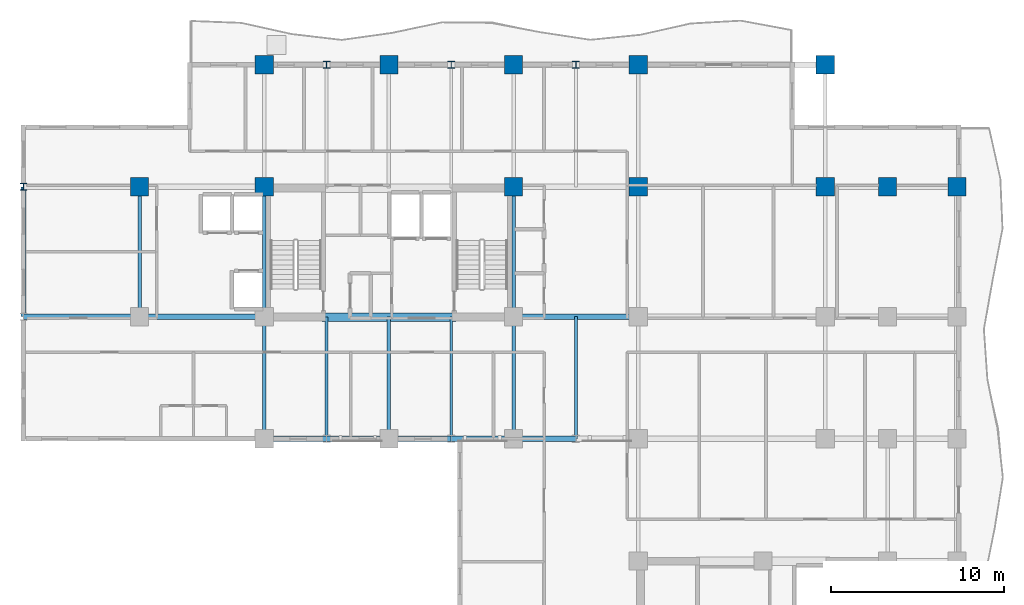
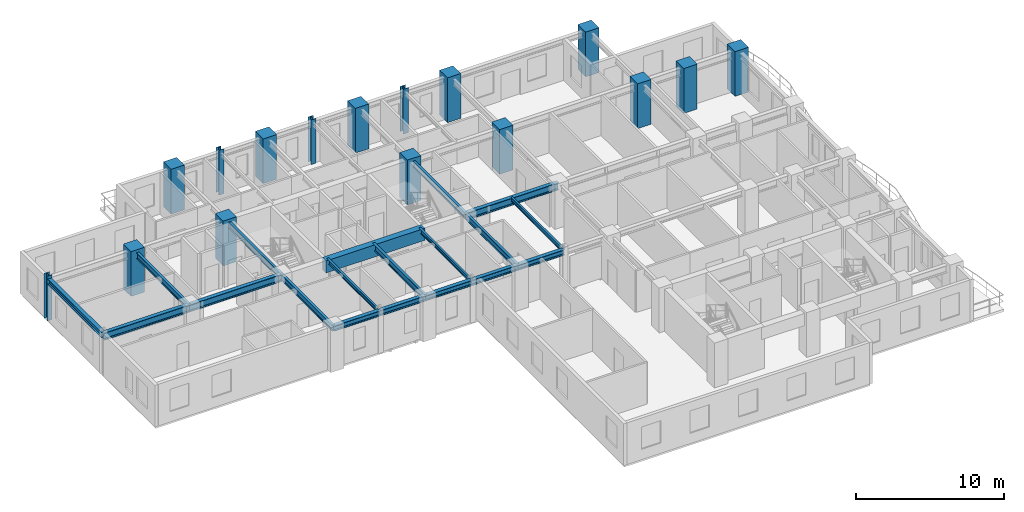
# One storey, part 2 of 13: 19 beams, 16 columns.
"""IFC4 building model written with IfcOpenShell, lengths in metres."""

import ifcopenshell
import ifcopenshell.guid

model = None  # the IFC model being written
_history = None  # IfcOwnerHistory: only IFC2X3 demands one
_inside = {}  # id of a spatial element -> (the spatial element, [elements in it])
_under = {}  # id of a project, library or spatial element -> (it, [spatial elements below it])
_declared = {}  # id of a project -> (the project, [libraries it declares])
_typed = {}  # id of a type object -> (the type object, [elements of that type])
_made_of = {}  # id of a material, layer set ... -> (it, [elements and type objects made of it])


def new_model(schema):
    """Start an empty IFC model of exactly this schema.

    Asked for "IFC4X3", IfcOpenShell would pick the latest addendum, in which some entities
    have other attributes; the version numbers below select the first issue.
    IFC2X3 requires an IfcOwnerHistory on every rooted entity: one is made here for all.
    """
    global model, _history
    if schema == "IFC4X3":
        model = ifcopenshell.file(schema_version=(4, 3, 0, 0))
    else:
        model = ifcopenshell.file(schema=schema)
    _inside.clear()
    _under.clear()
    _declared.clear()
    _typed.clear()
    _made_of.clear()
    _history = None
    if model.schema == "IFC2X3":
        org = make("IfcOrganization", Name="unknown")
        user = make(
            "IfcPersonAndOrganization",
            ThePerson=make("IfcPerson", FamilyName="unknown"),
            TheOrganization=org,
        )
        app = make(
            "IfcApplication",
            ApplicationDeveloper=org,
            Version="unknown",
            ApplicationFullName="unknown",
            ApplicationIdentifier="unknown",
        )
        _history = make(
            "IfcOwnerHistory",
            OwningUser=user,
            OwningApplication=app,
            ChangeAction="ADDED",
            CreationDate=0,
        )
    return model


def make(cls, **values):
    """One entity of the class cls with the attributes given. An attribute that is None is left unset."""
    return model.create_entity(
        cls, **{name: value for name, value in values.items() if value is not None}
    )


def rooted(cls, **values):
    """An entity with a GlobalId (a new one), such as an element, a storey or a relation."""
    return make(cls, GlobalId=ifcopenshell.guid.new(), OwnerHistory=_history, **values)


def si_unit(unit_type, name, prefix=None):
    """IfcSIUnit, for example si_unit("LENGTHUNIT", "METRE", prefix="MILLI")."""
    return make("IfcSIUnit", UnitType=unit_type, Prefix=prefix, Name=name)


def assignment(units):
    """IfcUnitAssignment: the units of a project."""
    return None if units is None else make("IfcUnitAssignment", Units=units)


def point(xyz):
    """IfcCartesianPoint."""
    return None if xyz is None else make("IfcCartesianPoint", Coordinates=xyz)


def direction(xyz):
    """IfcDirection."""
    return None if xyz is None else make("IfcDirection", DirectionRatios=xyz)


def frame(location, z_axis=None, x_axis=None):
    """IfcAxis2Placement3D, a coordinate frame: its origin and axes. An axis left out is left unset."""
    return make(
        "IfcAxis2Placement3D",
        Location=point(location),
        Axis=direction(z_axis),
        RefDirection=direction(x_axis),
    )


def frame_2d(location, x_axis=None):
    """IfcAxis2Placement2D, a coordinate frame in the plane: its origin and x axis."""
    return make(
        "IfcAxis2Placement2D", Location=point(location), RefDirection=direction(x_axis)
    )


def origin():
    """The frame at (0, 0, 0) with its axes left unset."""
    return frame((0.0, 0.0, 0.0))


def origin_2d():
    """The frame at (0, 0) in the plane with its x axis left unset."""
    return frame_2d((0.0, 0.0))


def place(relative_to, where):
    """IfcLocalPlacement: puts the frame where relative to a parent placement (None: the world)."""
    return make(
        "IfcLocalPlacement", PlacementRelTo=relative_to, RelativePlacement=where
    )


def context(
    kind, dimensions, precision=None, world=None, true_north=None, identifier=None
):
    """IfcGeometricRepresentationContext, for example the 3D "Model" context."""
    return make(
        "IfcGeometricRepresentationContext",
        ContextIdentifier=identifier,
        ContextType=kind,
        CoordinateSpaceDimension=dimensions,
        Precision=precision,
        WorldCoordinateSystem=world,
        TrueNorth=true_north,
    )


def subcontext(parent, identifier, kind, view, scale=None):
    """IfcGeometricRepresentationSubContext, for example "Body" below "Model"."""
    return make(
        "IfcGeometricRepresentationSubContext",
        ContextIdentifier=identifier,
        ContextType=kind,
        ParentContext=parent,
        TargetScale=scale,
        TargetView=view,
    )


def project(units=None, contexts=None):
    """IfcProject with its units and contexts."""
    return rooted(
        "IfcProject",
        Name="project",
        RepresentationContexts=contexts,
        UnitsInContext=assignment(units),
    )


def spatial(cls, under=None, at=None, **own):
    """A site, building, storey or space (cls), placed at a placement, below another one or the project."""
    s = rooted(cls, ObjectPlacement=at, **own)
    if under is not None:
        _under.setdefault(under.id(), (under, []))[1].append(s)
    return s


def profile(cls, at=None, kind="AREA", **sizes):
    """A parametric profile (cls). Its sizes go by their IFC names, for example OverallWidth=200.0."""
    return make(cls, ProfileType=kind, Position=at, **sizes)


def rectangle(**sizes):
    """IfcRectangleProfileDef."""
    return profile("IfcRectangleProfileDef", **sizes)


def i_section(**sizes):
    """IfcIShapeProfileDef."""
    return profile("IfcIShapeProfileDef", **sizes)


def extrude(swept, where, along, depth):
    """IfcExtrudedAreaSolid: the profile swept, set in the frame where, extruded along a direction by depth."""
    return make(
        "IfcExtrudedAreaSolid",
        SweptArea=swept,
        Position=where,
        ExtrudedDirection=direction(along),
        Depth=depth,
    )


def shape(context_of_items, identifier, shape_type, items):
    """IfcShapeRepresentation: the items that make up one representation, for example the "Body"."""
    return make(
        "IfcShapeRepresentation",
        ContextOfItems=context_of_items,
        RepresentationIdentifier=identifier,
        RepresentationType=shape_type,
        Items=items,
    )


def source(mapping_origin, context_of_items, identifier, shape_type, items):
    """IfcRepresentationMap: a shape defined once, which mapped items show again and again."""
    return make(
        "IfcRepresentationMap",
        MappingOrigin=mapping_origin,
        MappedRepresentation=shape(context_of_items, identifier, shape_type, items),
    )


def transform(
    local_origin,
    x_axis=None,
    y_axis=None,
    z_axis=None,
    scale=None,
    scale2=None,
    scale3=None,
    uniform=True,
):
    """IfcCartesianTransformationOperator3D, or its non-uniform kind. x_axis, y_axis, z_axis: its Axis1, 2, 3."""
    if uniform:
        return make(
            "IfcCartesianTransformationOperator3D",
            Axis1=direction(x_axis),
            Axis2=direction(y_axis),
            LocalOrigin=point(local_origin),
            Scale=scale,
            Axis3=direction(z_axis),
        )
    return make(
        "IfcCartesianTransformationOperator3DnonUniform",
        Axis1=direction(x_axis),
        Axis2=direction(y_axis),
        LocalOrigin=point(local_origin),
        Scale=scale,
        Axis3=direction(z_axis),
        Scale2=scale2,
        Scale3=scale3,
    )


def mapped(mapping_source, mapping_target):
    """IfcMappedItem: shows the shape of a source again, moved by a transform."""
    return make(
        "IfcMappedItem", MappingSource=mapping_source, MappingTarget=mapping_target
    )


def material(Name=None, Category=None):
    """IfcMaterial."""
    return make("IfcMaterial", Name=Name, Category=Category)


def material_profile(
    of_material, cross_section, Name=None, Category=None, Priority=None
):
    """IfcMaterialProfile: a cross section and its material."""
    return make(
        "IfcMaterialProfile",
        Name=Name,
        Material=of_material,
        Profile=cross_section,
        Priority=Priority,
        Category=Category,
    )


def profile_set(profiles, Name=None, composite=None):
    """IfcMaterialProfileSet."""
    return make(
        "IfcMaterialProfileSet",
        Name=Name,
        MaterialProfiles=profiles,
        CompositeProfile=composite,
    )


def made_of(thing, what):
    """Note that an element or type object is made of a material, layer set ...; save() writes the relation."""
    if what is not None:
        _made_of.setdefault(what.id(), (what, []))[1].append(thing)
    return thing


def type_object(cls, material=None, **own):
    """A type object (cls), such as IfcWallType, which elements share."""
    return made_of(rooted(cls, **own), material)


def element(
    cls,
    number,
    at=None,
    inside=None,
    cuts=None,
    type_object=None,
    material=None,
    context=None,
    identifier="Body",
    shape_type=None,
    held_by="IfcProductDefinitionShape",
    body=None,
    shapes=None,
    **own,
):
    """One element of the class cls, such as IfcWall. Its Tag is "e" and its number.

    at: its placement. inside: the storey or other place that contains it. cuts: it is an
    opening in that element (IfcRelVoidsElement). A single representation is given by context,
    identifier, shape_type and body (its items); several are given by shapes. held_by: the class
    of the entity that holds the representations. save() writes the other relations.
    """
    e = rooted(cls, Tag="e%d" % number, ObjectPlacement=at, **own)
    if body is not None:
        shapes = [shape(context, identifier, shape_type, body)]
    if shapes is not None:
        e.Representation = make(held_by, Representations=shapes)
    if inside is not None:
        _inside.setdefault(inside.id(), (inside, []))[1].append(e)
    if cuts is not None:
        rooted(
            "IfcRelVoidsElement", RelatingBuildingElement=cuts, RelatedOpeningElement=e
        )
    if type_object is not None:
        _typed.setdefault(type_object.id(), (type_object, []))[1].append(e)
    return made_of(e, material)


def aggregate(whole, parts):
    """IfcRelAggregates: a whole, such as a stair, and the parts it consists of."""
    return rooted("IfcRelAggregates", RelatingObject=whole, RelatedObjects=parts)


def save(model, path):
    """Write the relations noted so far, then the file.

    IfcRelAggregates (storeys below a building ...), IfcRelContainedInSpatialStructure (elements
    in a storey), IfcRelDefinesByType, IfcRelAssociatesMaterial and IfcRelDeclares: one each for
    every whole, place, type object, material and project.
    """
    for whole, parts in _under.values():
        aggregate(whole, parts)
    for where, things in _inside.values():
        rooted(
            "IfcRelContainedInSpatialStructure",
            RelatedElements=things,
            RelatingStructure=where,
        )
    for kind, things in _typed.values():
        rooted("IfcRelDefinesByType", RelatedObjects=things, RelatingType=kind)
    for what, things in _made_of.values():
        rooted("IfcRelAssociatesMaterial", RelatedObjects=things, RelatingMaterial=what)
    for by, libraries in _declared.values():
        rooted("IfcRelDeclares", RelatingContext=by, RelatedDefinitions=libraries)
    model.write(path)


model = new_model("IFC4")

# Units and contexts
model_context = context("Model", 3, precision=1e-05, world=origin(), true_north=direction((0.0, 1.0)))
body_context = subcontext(model_context, "Body", "Model", "MODEL_VIEW")
ifc_project = project(units=[si_unit("LENGTHUNIT", "METRE"), si_unit("AREAUNIT", "SQUARE_METRE"), si_unit("VOLUMEUNIT", "CUBIC_METRE"), si_unit("PLANEANGLEUNIT", "RADIAN"), si_unit("MASSUNIT", "GRAM", prefix="KILO")], contexts=[model_context])

# Site, building, storey
site_placement = place(None, origin())
site = spatial("IfcSite", under=ifc_project, at=site_placement, CompositionType="ELEMENT")
building_placement = place(site_placement, origin())
building = spatial("IfcBuilding", under=site, at=building_placement, Name="Kaliganga Portal Commons", CompositionType="ELEMENT")
storey_placement = place(building_placement, frame((0.0, 0.0, 166.10009765625)))
storey = spatial("IfcBuildingStorey", under=building, at=storey_placement, Name="L42", CompositionType="ELEMENT", Elevation=166.10009765625)

# Columns
ifc_material_1 = material(Name="Concrete C60/75", Category="concrete")
ifc_material_profile_1 = material_profile(ifc_material_1, rectangle(XDim=1.050048828125, YDim=1.050048828125, at=origin_2d()), Name="RC 1050x1050")
ifc_profile_set_1 = profile_set([ifc_material_profile_1], Name="Concrete C60/75")
column_type_1 = type_object("IfcColumnType", Name="COL-MEGA-Z3", PredefinedType="COLUMN", material=ifc_profile_set_1)
shared_shape_1 = source(origin(), body_context, "Body", "SweptSolid", [
    extrude(rectangle(XDim=1.050048828125, YDim=1.050048828125, at=origin_2d()), origin(), (0.0, 0.0, 1.0), 3.699951171875),
])
for number, where, z_axis, x_axis, name in (
    (1, (7.199951171875, 36.14990234375, 0.0), (0.0, 0.0, 1.0), (1.0, 0.0, 0.0), "Column MC-04 L42"),
    (2, (14.39990234375, 36.14990234375, 0.0), (0.0, 0.0, 1.0), (1.0, 0.0, 0.0), "Column MC-04 L42"),
    (3, (14.39990234375, 43.199951171875, 0.0), (0.0, 0.0, 1.0), (1.0, 0.0, 0.0), "Column MC-04 L42"),
    (4, (21.60009765625, 43.199951171875, 0.0), (0.0, 0.0, 1.0), (1.0, 0.0, 0.0), "Column MC-04 L42"),
    (5, (28.800048828125, 36.14990234375, 0.0), (0.0, 0.0, 1.0), (1.0, 0.0, 0.0), "Column MC-04 L42"),
    (6, (28.800048828125, 43.199951171875, 0.0), (0.0, 0.0, 1.0), (1.0, 0.0, 0.0), "Column MC-04 L42"),
    (7, (36.0, 43.199951171875, 0.0), (0.0, 0.0, 1.0), (1.0, 0.0, 0.0), "Column MC-04 L42"),
    (8, (36.0, 36.14990234375, 0.0), (0.0, 0.0, 1.0), (1.0, 0.0, 0.0), "Column MC-04 L42"),
    (9, (46.800048828125, 36.14990234375, 0.0), (0.0, 0.0, 1.0), (1.0, 0.0, 0.0), "Column MC-04 L42"),
    (10, (46.800048828125, 43.199951171875, 0.0), (0.0, 0.0, 1.0), (1.0, 0.0, 0.0), "Column MC-04 L42"),
    (11, (50.39990234375, 36.14990234375, 0.0), (0.0, 0.0, 1.0), (1.0, 0.0, 0.0), "Column MC-04 L42"),
    (12, (54.39990234375, 36.14990234375, 0.0), (0.0, 0.0, 1.0), (1.0, 0.0, 0.0), "Column MC-04 L42"),
):
    element("IfcColumn", number, at=place(storey_placement, frame(where, z_axis=z_axis, x_axis=x_axis)), inside=storey, type_object=column_type_1, Name=name, PredefinedType="COLUMN", context=body_context, shape_type="MappedRepresentation", body=[
        mapped(shared_shape_1, transform((0.0, 0.0, 0.0), x_axis=(1.0, 0.0, 0.0), y_axis=(0.0, 1.0, 0.0), z_axis=(0.0, 0.0, 1.0), scale=1.0)),
    ])
ifc_material_2 = material(Name="Structural steel S460M", Category="steel")
ifc_material_profile_2 = material_profile(ifc_material_2, i_section(OverallWidth=0.404052734375, OverallDepth=0.4140625, WebThickness=0.0205078125, FlangeThickness=0.028076171875, FilletRadius=0.014892578125, at=origin_2d()), Name="HD 400x347")
ifc_profile_set_2 = profile_set([ifc_material_profile_2], Name="Structural steel S460M wide-flange")
column_type_2 = type_object("IfcColumnType", Name="COL-TUBE-B3", PredefinedType="COLUMN", material=ifc_profile_set_2)
shared_shape_2 = source(origin(), body_context, "Body", "SweptSolid", [
    extrude(i_section(OverallWidth=0.404052734375, OverallDepth=0.4140625, WebThickness=0.0205078125, FlangeThickness=0.028076171875, FilletRadius=0.014892578125, at=origin_2d()), origin(), (0.0, 0.0, 1.0), 3.699951171875),
])
for number, where, z_axis, x_axis, name in (
    (13, (0.5, 36.14990234375, 0.0), (0.0, 0.0, 1.0), (1.0, 0.0, 0.0), "Column TC-03 L42"),
    (14, (18.0, 43.199951171875, 0.0), (0.0, 0.0, 1.0), (1.0, 0.0, 0.0), "Column TC-03 L42"),
    (15, (25.199951171875, 43.199951171875, 0.0), (0.0, 0.0, 1.0), (1.0, 0.0, 0.0), "Column TC-03 L42"),
    (16, (32.39990234375, 43.199951171875, 0.0), (0.0, 0.0, 1.0), (1.0, 0.0, 0.0), "Column TC-03 L42"),
):
    element("IfcColumn", number, at=place(storey_placement, frame(where, z_axis=z_axis, x_axis=x_axis)), inside=storey, type_object=column_type_2, Name=name, PredefinedType="COLUMN", context=body_context, shape_type="MappedRepresentation", body=[
        mapped(shared_shape_2, transform((0.0, 0.0, 0.0), x_axis=(1.0, 0.0, 0.0), y_axis=(0.0, 1.0, 0.0), z_axis=(0.0, 0.0, 1.0), scale=1.0)),
    ])

# Beams
ifc_material_3 = material(Name="Concrete C50/60", Category="concrete")
ifc_material_profile_3 = material_profile(ifc_material_3, rectangle(XDim=0.5, YDim=1.0, at=origin_2d()), Name="RC 500x1000")
ifc_profile_set_3 = profile_set([ifc_material_profile_3], Name="Concrete C50/60")
beam_type_1 = type_object("IfcBeamType", Name="BM-CPL-1000", PredefinedType="LINTEL", material=ifc_profile_set_3)
shared_shape_3 = source(origin(), body_context, "Body", "SweptSolid", [
    extrude(rectangle(XDim=0.5, YDim=1.0, at=origin_2d()), origin(), (0.0, 0.0, 1.0), 7.739990234375),
])
beam_1_placement = place(storey_placement, frame((17.72998046875, 28.625, 2.9599609375), z_axis=(1.0, 0.0, 0.0), x_axis=(0.0, 1.0, 0.0)))
element("IfcBeam", 17, at=beam_1_placement, inside=storey, type_object=beam_type_1, Name="BM CPL COREA L42 S", PredefinedType="LINTEL", context=body_context, shape_type="MappedRepresentation", body=[
    mapped(shared_shape_3, transform((0.0, 0.0, 0.0), x_axis=(1.0, 0.0, 0.0), y_axis=(0.0, 1.0, 0.0), z_axis=(0.0, 0.0, 1.0), scale=1.0)),
])
ifc_material_4 = material(Name="Structural steel S355J2", Category="steel")
ifc_material_profile_4 = material_profile(ifc_material_4, i_section(OverallWidth=0.199951171875, OverallDepth=0.5, WebThickness=0.01025390625, FlangeThickness=0.01611328125, FilletRadius=0.02099609375, at=origin_2d()), Name="IPE 500")
ifc_profile_set_4 = profile_set([ifc_material_profile_4], Name="Structural steel S355J2 wide-flange")
beam_type_2 = type_object("IfcBeamType", Name="BM-FLR-500", PredefinedType="BEAM", material=ifc_profile_set_4)
shared_shape_4 = source(origin(), body_context, "Body", "SweptSolid", [
    extrude(i_section(OverallWidth=0.199951171875, OverallDepth=0.5, WebThickness=0.01025390625, FlangeThickness=0.01611328125, FilletRadius=0.02099609375, at=origin_2d()), origin(), (0.0, 0.0, 1.0), 7.5),
])
for number, where, z_axis, x_axis, name in (
    (18, (7.199951171875, 28.64990234375, 3.2099609375), (0.0, 1.0, 0.0), (-1.0, 0.0, 0.0), "BM G L42 AW72"),
    (19, (14.39990234375, 28.64990234375, 3.2099609375), (0.0, 1.0, 0.0), (-1.0, 0.0, 0.0), "BM G L42 AM144"),
    (20, (28.800048828125, 28.64990234375, 3.2099609375), (0.0, 1.0, 0.0), (-1.0, 0.0, 0.0), "BM G L42 AM288"),
):
    element("IfcBeam", number, at=place(storey_placement, frame(where, z_axis=z_axis, x_axis=x_axis)), inside=storey, type_object=beam_type_2, Name=name, PredefinedType="BEAM", context=body_context, shape_type="MappedRepresentation", body=[
        mapped(shared_shape_4, transform((0.0, 0.0, 0.0), x_axis=(1.0, 0.0, 0.0), y_axis=(0.0, 1.0, 0.0), z_axis=(0.0, 0.0, 1.0), scale=1.0)),
    ])
shared_shape_5 = source(origin(), body_context, "Body", "SweptSolid", [
    extrude(i_section(OverallWidth=0.199951171875, OverallDepth=0.5, WebThickness=0.01025390625, FlangeThickness=0.01611328125, FilletRadius=0.02099609375, at=origin_2d()), origin(), (0.0, 0.0, 1.0), 7.0498046875),
])
for number, where, z_axis, x_axis, name in (
    (21, (14.39990234375, 21.60009765625, 3.2099609375), (0.0, 1.0, 0.0), (-1.0, 0.0, 0.0), "BM G L42 AS144"),
    (22, (28.800048828125, 21.60009765625, 3.2099609375), (0.0, 1.0, 0.0), (-1.0, 0.0, 0.0), "BM G L42 AS288"),
):
    element("IfcBeam", number, at=place(storey_placement, frame(where, z_axis=z_axis, x_axis=x_axis)), inside=storey, type_object=beam_type_2, Name=name, PredefinedType="BEAM", context=body_context, shape_type="MappedRepresentation", body=[
        mapped(shared_shape_5, transform((0.0, 0.0, 0.0), x_axis=(1.0, 0.0, 0.0), y_axis=(0.0, 1.0, 0.0), z_axis=(0.0, 0.0, 1.0), scale=1.0)),
    ])
ifc_material_profile_5 = material_profile(ifc_material_4, i_section(OverallWidth=0.300048828125, OverallDepth=0.449951171875, WebThickness=0.013916015625, FlangeThickness=0.02587890625, FilletRadius=0.027099609375, at=origin_2d()), Name="HE 450 B")
ifc_profile_set_5 = profile_set([ifc_material_profile_5], Name="Structural steel S355J2 wide-flange")
beam_type_3 = type_object("IfcBeamType", Name="BM-SPAND-450", PredefinedType="SPANDREL", material=ifc_profile_set_5)
shared_shape_6 = source(origin(), body_context, "Body", "SweptSolid", [
    extrude(i_section(OverallWidth=0.300048828125, OverallDepth=0.449951171875, WebThickness=0.013916015625, FlangeThickness=0.02587890625, FilletRadius=0.027099609375, at=origin_2d()), origin(), (0.0, 0.0, 1.0), 3.60009765625),
])
for number, where, z_axis, x_axis, name in (
    (23, (14.39990234375, 21.60009765625, 3.23486328125), (1.0, 0.0, 0.0), (0.0, 1.0, 0.0), "BM SP L42 AS 1"),
    (24, (18.0, 21.60009765625, 3.23486328125), (1.0, 0.0, 0.0), (0.0, 1.0, 0.0), "BM SP L42 AS 2"),
    (25, (25.199951171875, 21.60009765625, 3.23486328125), (1.0, 0.0, 0.0), (0.0, 1.0, 0.0), "BM SP L42 AS 4"),
):
    element("IfcBeam", number, at=place(storey_placement, frame(where, z_axis=z_axis, x_axis=x_axis)), inside=storey, type_object=beam_type_3, Name=name, PredefinedType="SPANDREL", context=body_context, shape_type="MappedRepresentation", body=[
        mapped(shared_shape_6, transform((0.0, 0.0, 0.0), x_axis=(1.0, 0.0, 0.0), y_axis=(0.0, 1.0, 0.0), z_axis=(0.0, 0.0, 1.0), scale=1.0)),
    ])
shared_shape_7 = source(origin(), body_context, "Body", "SweptSolid", [
    extrude(i_section(OverallWidth=0.300048828125, OverallDepth=0.449951171875, WebThickness=0.013916015625, FlangeThickness=0.02587890625, FilletRadius=0.027099609375, at=origin_2d()), origin(), (0.0, 0.0, 1.0), 3.599853515625),
])
for number, where, z_axis, x_axis, name in (
    (26, (21.60009765625, 21.60009765625, 3.23486328125), (1.0, 0.0, 0.0), (0.0, 1.0, 0.0), "BM SP L42 AS 3"),
    (27, (28.800048828125, 21.60009765625, 3.23486328125), (1.0, 0.0, 0.0), (0.0, 1.0, 0.0), "BM SP L42 AS 5"),
):
    element("IfcBeam", number, at=place(storey_placement, frame(where, z_axis=z_axis, x_axis=x_axis)), inside=storey, type_object=beam_type_3, Name=name, PredefinedType="SPANDREL", context=body_context, shape_type="MappedRepresentation", body=[
        mapped(shared_shape_7, transform((0.0, 0.0, 0.0), x_axis=(1.0, 0.0, 0.0), y_axis=(0.0, 1.0, 0.0), z_axis=(0.0, 0.0, 1.0), scale=1.0)),
    ])
ifc_material_profile_6 = material_profile(ifc_material_4, i_section(OverallWidth=0.159912109375, OverallDepth=0.330078125, WebThickness=0.007568359375, FlangeThickness=0.011474609375, FilletRadius=0.01806640625, at=origin_2d()), Name="IPE 330")
ifc_profile_set_6 = profile_set([ifc_material_profile_6], Name="Structural steel S355J2 wide-flange")
beam_type_4 = type_object("IfcBeamType", Name="BM-JST-330", PredefinedType="JOIST", material=ifc_profile_set_6)
shared_shape_8 = source(origin(), body_context, "Body", "SweptSolid", [
    extrude(i_section(OverallWidth=0.159912109375, OverallDepth=0.330078125, WebThickness=0.007568359375, FlangeThickness=0.011474609375, FilletRadius=0.01806640625, at=origin_2d()), origin(), (0.0, 0.0, 1.0), 7.0498046875),
])
beam_2_placement = place(storey_placement, frame((32.39990234375, 21.60009765625, 3.294921875), z_axis=(0.0, 1.0, 0.0), x_axis=(-1.0, 0.0, 0.0)))
element("IfcBeam", 28, at=beam_2_placement, inside=storey, type_object=beam_type_4, Name="BM G L42 AS324", PredefinedType="JOIST", context=body_context, shape_type="MappedRepresentation", body=[
    mapped(shared_shape_8, transform((0.0, 0.0, 0.0), x_axis=(1.0, 0.0, 0.0), y_axis=(0.0, 1.0, 0.0), z_axis=(0.0, 0.0, 1.0), scale=1.0)),
])
shared_shape_9 = source(origin(), body_context, "Body", "SweptSolid", [
    extrude(i_section(OverallWidth=0.300048828125, OverallDepth=0.449951171875, WebThickness=0.013916015625, FlangeThickness=0.02587890625, FilletRadius=0.027099609375, at=origin_2d()), origin(), (0.0, 0.0, 1.0), 7.5),
])
beam_3_placement = place(storey_placement, frame((0.5, 28.64990234375, 3.23486328125), z_axis=(0.0, 1.0, 0.0), x_axis=(-1.0, 0.0, 0.0)))
element("IfcBeam", 29, at=beam_3_placement, inside=storey, type_object=beam_type_3, Name="BM SP L42 AW", PredefinedType="SPANDREL", context=body_context, shape_type="MappedRepresentation", body=[
    mapped(shared_shape_9, transform((0.0, 0.0, 0.0), x_axis=(1.0, 0.0, 0.0), y_axis=(0.0, 1.0, 0.0), z_axis=(0.0, 0.0, 1.0), scale=1.0)),
])
ifc_material_profile_7 = material_profile(ifc_material_4, i_section(OverallWidth=0.300048828125, OverallDepth=0.60009765625, WebThickness=0.015380859375, FlangeThickness=0.030029296875, FilletRadius=0.027099609375, at=origin_2d()), Name="HE 600 B")
ifc_profile_set_7 = profile_set([ifc_material_profile_7], Name="Structural steel S355J2 wide-flange")
beam_type_5 = type_object("IfcBeamType", Name="BM-GIRD-600", PredefinedType="USERDEFINED", material=ifc_profile_set_7)
shared_shape_10 = source(origin(), body_context, "Body", "SweptSolid", [
    extrude(i_section(OverallWidth=0.300048828125, OverallDepth=0.60009765625, WebThickness=0.015380859375, FlangeThickness=0.030029296875, FilletRadius=0.027099609375, at=origin_2d()), origin(), (0.0, 0.0, 1.0), 6.699951171875),
])
beam_4_placement = place(storey_placement, frame((0.5, 28.64990234375, 3.159912109375), z_axis=(1.0, 0.0, 0.0), x_axis=(0.0, 1.0, 0.0)))
element("IfcBeam", 30, at=beam_4_placement, inside=storey, type_object=beam_type_5, Name="BM G L42 WAH_S 1", ObjectType="GIRDER", PredefinedType="USERDEFINED", context=body_context, shape_type="MappedRepresentation", body=[
    mapped(shared_shape_10, transform((0.0, 0.0, 0.0), x_axis=(1.0, 0.0, 0.0), y_axis=(0.0, 1.0, 0.0), z_axis=(0.0, 0.0, 1.0), scale=1.0)),
])
shared_shape_11 = source(origin(), body_context, "Body", "SweptSolid", [
    extrude(i_section(OverallWidth=0.300048828125, OverallDepth=0.60009765625, WebThickness=0.015380859375, FlangeThickness=0.030029296875, FilletRadius=0.027099609375, at=origin_2d()), origin(), (0.0, 0.0, 1.0), 7.199951171875),
])
for number, where, z_axis, x_axis, name in (
    (31, (7.199951171875, 28.64990234375, 3.159912109375), (1.0, 0.0, 0.0), (0.0, 1.0, 0.0), "BM G L42 WAH_S 2"),
    (32, (28.800048828125, 28.64990234375, 3.159912109375), (1.0, 0.0, 0.0), (0.0, 1.0, 0.0), "BM G L42 WAE_S 1"),
):
    element("IfcBeam", number, at=place(storey_placement, frame(where, z_axis=z_axis, x_axis=x_axis)), inside=storey, type_object=beam_type_5, Name=name, ObjectType="GIRDER", PredefinedType="USERDEFINED", context=body_context, shape_type="MappedRepresentation", body=[
        mapped(shared_shape_11, transform((0.0, 0.0, 0.0), x_axis=(1.0, 0.0, 0.0), y_axis=(0.0, 1.0, 0.0), z_axis=(0.0, 0.0, 1.0), scale=1.0)),
    ])
shared_shape_12 = source(origin(), body_context, "Body", "SweptSolid", [
    extrude(i_section(OverallWidth=0.159912109375, OverallDepth=0.330078125, WebThickness=0.007568359375, FlangeThickness=0.011474609375, FilletRadius=0.01806640625, at=origin_2d()), origin(), (0.0, 0.0, 1.0), 7.02490234375),
])
for number, where, z_axis, x_axis, name in (
    (33, (18.0, 21.60009765625, 3.294921875), (0.0, 1.0, 0.0), (-1.0, 0.0, 0.0), "BM G L42 AS180"),
    (34, (25.199951171875, 21.60009765625, 3.294921875), (0.0, 1.0, 0.0), (-1.0, 0.0, 0.0), "BM G L42 AS252"),
):
    element("IfcBeam", number, at=place(storey_placement, frame(where, z_axis=z_axis, x_axis=x_axis)), inside=storey, type_object=beam_type_4, Name=name, PredefinedType="JOIST", context=body_context, shape_type="MappedRepresentation", body=[
        mapped(shared_shape_12, transform((0.0, 0.0, 0.0), x_axis=(1.0, 0.0, 0.0), y_axis=(0.0, 1.0, 0.0), z_axis=(0.0, 0.0, 1.0), scale=1.0)),
    ])
shared_shape_13 = source(origin(), body_context, "Body", "SweptSolid", [
    extrude(i_section(OverallWidth=0.199951171875, OverallDepth=0.5, WebThickness=0.01025390625, FlangeThickness=0.01611328125, FilletRadius=0.02099609375, at=origin_2d()), origin(), (0.0, 0.0, 1.0), 7.02490234375),
])
beam_5_placement = place(storey_placement, frame((21.60009765625, 21.60009765625, 3.2099609375), z_axis=(0.0, 1.0, 0.0), x_axis=(-1.0, 0.0, 0.0)))
element("IfcBeam", 35, at=beam_5_placement, inside=storey, type_object=beam_type_2, Name="BM G L42 AS216", PredefinedType="BEAM", context=body_context, shape_type="MappedRepresentation", body=[
    mapped(shared_shape_13, transform((0.0, 0.0, 0.0), x_axis=(1.0, 0.0, 0.0), y_axis=(0.0, 1.0, 0.0), z_axis=(0.0, 0.0, 1.0), scale=1.0)),
])

save(model, "model.ifc")
